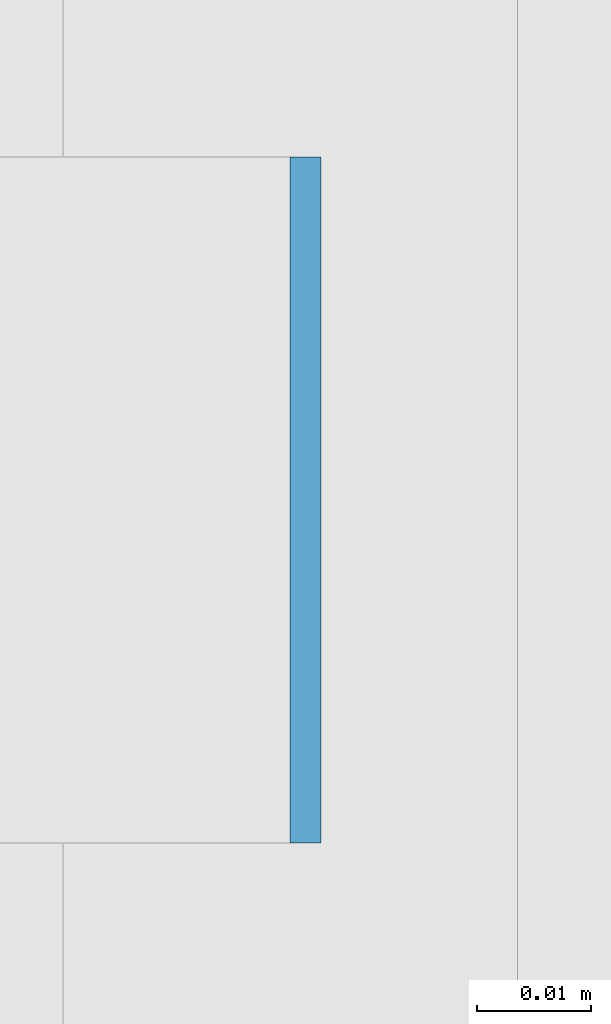
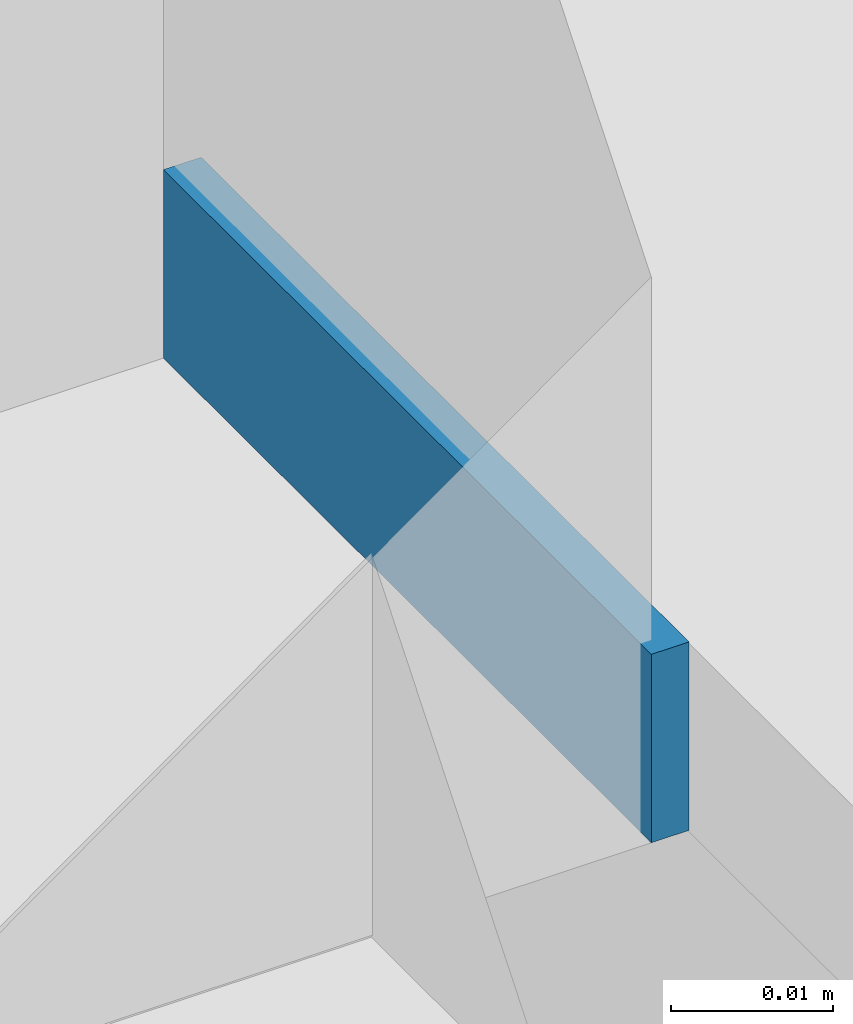
# One storey, part 290 of 646: 1 discrete accessory.
"""IFC4 building model written with IfcOpenShell, lengths in metres."""

from ifc_helpers import new_model, si_unit, direction, frame, origin, origin_2d, place, context, subcontext, project, spatial, rectangle, extrude, material, type_object, element, save


model = new_model("IFC4")

# Units and contexts
model_context = context("Model", 3, precision=1e-05, world=origin(), true_north=direction((0.0, 1.0)))
body_context = subcontext(model_context, "Body", "Model", "MODEL_VIEW")
ifc_project = project(units=[si_unit("LENGTHUNIT", "METRE"), si_unit("AREAUNIT", "SQUARE_METRE"), si_unit("VOLUMEUNIT", "CUBIC_METRE"), si_unit("PLANEANGLEUNIT", "RADIAN"), si_unit("MASSUNIT", "GRAM", prefix="KILO")], contexts=[model_context])

# Site, building, storey
site_placement = place(None, origin())
site = spatial("IfcSite", under=ifc_project, at=site_placement, CompositionType="ELEMENT")
building_placement = place(site_placement, origin())
building = spatial("IfcBuilding", under=site, at=building_placement, Name="Silverbay Arena", CompositionType="ELEMENT")
storey_placement = place(building_placement, frame((0.0, 0.0, 33.5)))
storey = spatial("IfcBuildingStorey", under=building, at=storey_placement, Name="L05", CompositionType="ELEMENT", Elevation=33.5)

# Discrete accessory
ifc_material = material(Name="Steel S355", Category="steel")
discrete_accessory_type = type_object("IfcDiscreteAccessoryType", Name="Steel bracket plate", PredefinedType="BRACKET", material=ifc_material)
discrete_accessory_placement = place(storey_placement, frame((53.871337890625, 56.571533203125, 4.0), z_axis=(0.0, 0.0, 1.0), x_axis=(1.0, 0.0, 0.0)))
element("IfcDiscreteAccessory", 1, at=discrete_accessory_placement, inside=storey, type_object=discrete_accessory_type, Name="Curtain wall packing plate", PredefinedType="BRACKET", context=body_context, shape_type="SweptSolid", body=[
    extrude(rectangle(XDim=0.002685546875, YDim=0.06005859375, at=origin_2d()), origin(), (0.0, 0.0, 1.0), 0.01416015625),
])

save(model, "model.ifc")
